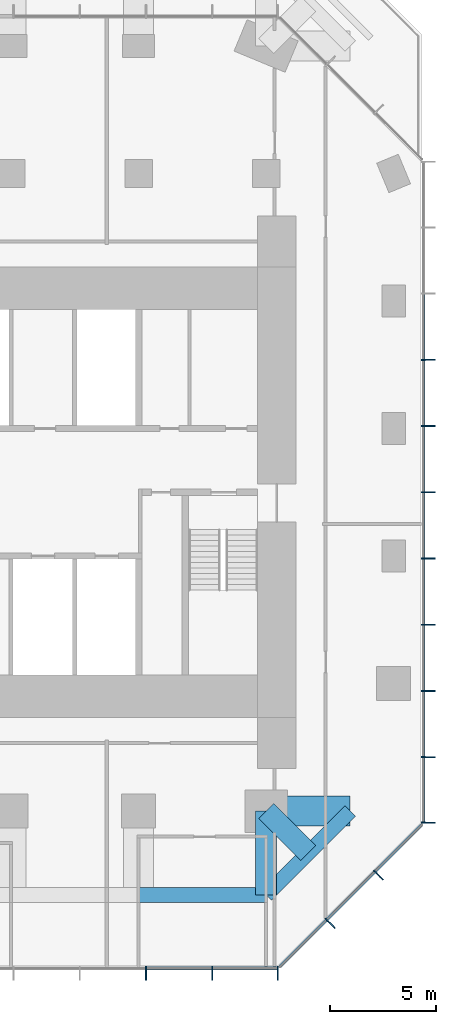
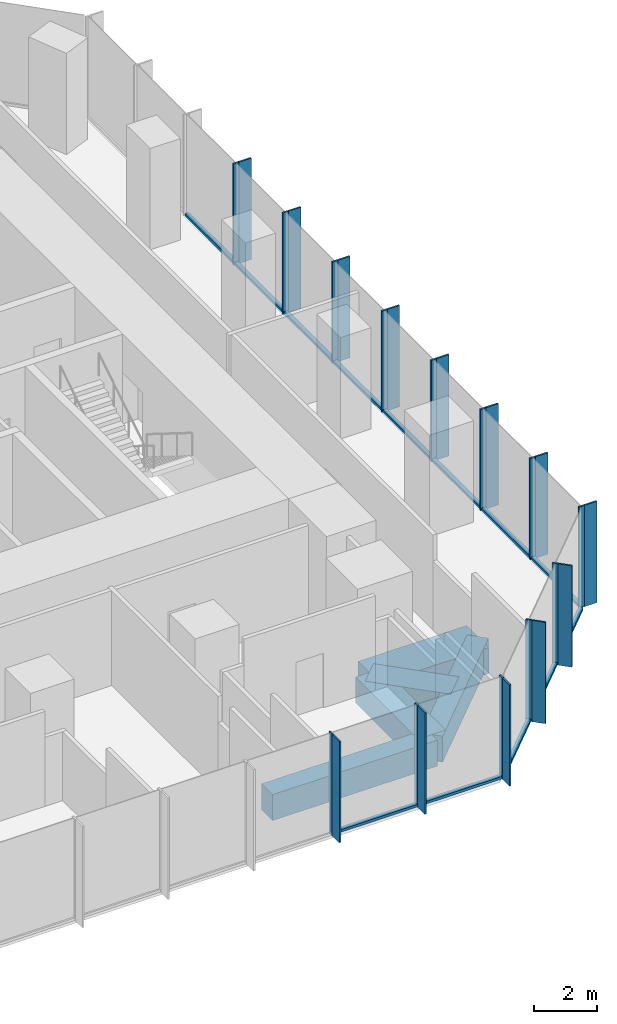
# One storey, part 4 of 11: 39 members, 5 beams, 3 elements without a shape of their own.
"""IFC4 building model written with IfcOpenShell, lengths in metres."""

from ifc_helpers import new_model, si_unit, direction, frame, origin, origin_2d, place, context, subcontext, project, spatial, rectangle, extrude, material, layer, layer_set, material_profile, profile_set, type_object, element, aggregate, save


model = new_model("IFC4")

# Units and contexts
model_context = context("Model", 3, precision=1e-05, world=origin(), true_north=direction((0.0, 1.0)))
body_context = subcontext(model_context, "Body", "Model", "MODEL_VIEW")
ifc_project = project(units=[si_unit("LENGTHUNIT", "METRE"), si_unit("AREAUNIT", "SQUARE_METRE"), si_unit("VOLUMEUNIT", "CUBIC_METRE"), si_unit("PLANEANGLEUNIT", "RADIAN"), si_unit("MASSUNIT", "GRAM", prefix="KILO")], contexts=[model_context])

# Site, building, storey
site_placement = place(None, origin())
site = spatial("IfcSite", under=ifc_project, at=site_placement, CompositionType="ELEMENT")
building_placement = place(site_placement, origin())
building = spatial("IfcBuilding", under=site, at=building_placement, Name="Highveld Stack Headquarters", CompositionType="ELEMENT")
storey_placement = place(building_placement, frame((0.0, 0.0, 212.300048828125)))
storey = spatial("IfcBuildingStorey", under=building, at=storey_placement, Name="L52", CompositionType="ELEMENT", Elevation=212.300048828125)

# Beams
ifc_material_1 = material(Name="Concrete C60/75", Category="concrete")
ifc_material_profile_1 = material_profile(ifc_material_1, rectangle(XDim=1.0, YDim=1.0, at=origin_2d()), Name="RC 1000x1000")
ifc_profile_set_1 = profile_set([ifc_material_profile_1], Name="Concrete C60/75")
beam_type_1 = type_object("IfcBeamType", Name="CANTILEVER RIB RC 1000x1000", PredefinedType="USERDEFINED", material=ifc_profile_set_1)
beam_1_placement = place(storey_placement, frame((18.0, -12.0, -0.75), z_axis=(0.0, -1.0, 0.0), x_axis=(1.0, 0.0, 0.0)))
element("IfcBeam", 1, at=beam_1_placement, inside=storey, type_object=beam_type_1, Name="Cantilever rib 9/C L52", ObjectType="CANTILEVER RIB", PredefinedType="USERDEFINED", context=body_context, shape_type="SweptSolid", body=[
    extrude(rectangle(XDim=1.0, YDim=1.0, at=origin_2d()), origin(), (0.0, 0.0, 1.0), 3.949951171875),
])
beam_2_placement = place(storey_placement, frame((18.0, -12.0, -0.75), z_axis=(0.707106781187, -0.707106781187, 0.0), x_axis=(0.707106781187, 0.707106781187, 0.0)))
element("IfcBeam", 2, at=beam_2_placement, inside=storey, type_object=beam_type_1, Name="Cantilever rib 9/C L52", ObjectType="CANTILEVER RIB", PredefinedType="USERDEFINED", context=body_context, shape_type="SweptSolid", body=[
    extrude(rectangle(XDim=1.0, YDim=1.0, at=origin_2d()), origin(), (0.0, 0.0, 1.0), 2.793212890625),
])
ifc_material_2 = material(Name="Concrete C60/75", Category="concrete")
ifc_material_profile_2 = material_profile(ifc_material_2, rectangle(XDim=1.39990234375, YDim=1.0, at=origin_2d()), Name="RC 1400x1000")
ifc_profile_set_2 = profile_set([ifc_material_profile_2], Name="Concrete C60/75")
beam_type_2 = type_object("IfcBeamType", Name="CANTILEVER RIB RC 1400x1000", PredefinedType="USERDEFINED", material=ifc_profile_set_2)
beam_3_placement = place(storey_placement, frame((18.0, -12.0, -0.75), z_axis=(1.0, 0.0, 0.0), x_axis=(0.0, 1.0, 0.0)))
element("IfcBeam", 3, at=beam_3_placement, inside=storey, type_object=beam_type_2, Name="Cantilever rib 9/C L52", ObjectType="CANTILEVER RIB", PredefinedType="USERDEFINED", context=body_context, shape_type="SweptSolid", body=[
    extrude(rectangle(XDim=1.39990234375, YDim=1.0, at=origin_2d()), origin(), (0.0, 0.0, 1.0), 3.949951171875),
])

# Curtain wall, members
ifc_material_3 = material(Name="Aluminium bronze anodised", Category="aluminium")
ifc_layer_1 = layer(ifc_material_3, 0.199951171875)
ifc_layer_set_1 = layer_set([ifc_layer_1], Name="Aluminium bronze anodised")
curtain_wall_type_1 = type_object("IfcCurtainWallType", Name="CW1 TOWER UNITISED CURTAIN WALL", PredefinedType="NOTDEFINED", material=ifc_layer_set_1)
curtain_wall_1_placement = place(storey_placement, origin())
curtain_wall_1 = element("IfcCurtainWall", 4, at=curtain_wall_1_placement, inside=storey, type_object=curtain_wall_type_1, Name="Curtain wall CW1 L52 S", PredefinedType="NOTDEFINED")
ifc_material_4 = material(Name="Aluminium bronze anodised", Category="aluminium")
ifc_material_profile_3 = material_profile(ifc_material_4, rectangle(XDim=0.449951171875, YDim=0.06005859375, at=origin_2d()), Name="FIN 450x60")
ifc_profile_set_3 = profile_set([ifc_material_profile_3], Name="Aluminium bronze anodised")
member_type_1 = type_object("IfcMemberType", Name="CW1 BRONZE FIN 450x60", PredefinedType="USERDEFINED", material=ifc_profile_set_3)
member_1_placement = place(storey_placement, frame((12.347900390625, -19.72509765625, 0.0), z_axis=(0.0, 0.0, 1.0), x_axis=(0.0, 1.0, 0.0)))
member_1 = element("IfcMember", 5, at=member_1_placement, type_object=member_type_1, Name="CW1 fin L52 9", ObjectType="FIN", PredefinedType="USERDEFINED", context=body_context, shape_type="SweptSolid", body=[
    extrude(rectangle(XDim=0.449951171875, YDim=0.06005859375, at=origin_2d()), origin(), (0.0, 0.0, 1.0), 3.89990234375),
])
member_2_placement = place(storey_placement, frame((15.4638671875, -19.72509765625, 0.0), z_axis=(0.0, 0.0, 1.0), x_axis=(0.0, 1.0, 0.0)))
member_2 = element("IfcMember", 6, at=member_2_placement, type_object=member_type_1, Name="CW1 fin L52 10", ObjectType="FIN", PredefinedType="USERDEFINED", context=body_context, shape_type="SweptSolid", body=[
    extrude(rectangle(XDim=0.449951171875, YDim=0.06005859375, at=origin_2d()), origin(), (0.0, 0.0, 1.0), 3.89990234375),
])
member_3_placement = place(storey_placement, frame((18.54736328125, -19.72509765625, 0.0), z_axis=(0.0, 0.0, 1.0), x_axis=(0.0, 1.0, 0.0)))
member_3 = element("IfcMember", 7, at=member_3_placement, type_object=member_type_1, Name="CW1 fin L52 11", ObjectType="FIN", PredefinedType="USERDEFINED", context=body_context, shape_type="SweptSolid", body=[
    extrude(rectangle(XDim=0.449951171875, YDim=0.06005859375, at=origin_2d()), origin(), (0.0, 0.0, 1.0), 3.89990234375),
])

curtain_wall_2_placement = place(storey_placement, origin())
curtain_wall_2 = element("IfcCurtainWall", 8, at=curtain_wall_2_placement, inside=storey, type_object=curtain_wall_type_1, Name="Curtain wall CW1 L52 E", PredefinedType="NOTDEFINED")
member_4_placement = place(storey_placement, frame((25.72509765625, -12.54736328125, 0.0), z_axis=(0.0, 0.0, 1.0), x_axis=(-1.0, 0.0, 0.0)))
member_4 = element("IfcMember", 9, at=member_4_placement, type_object=member_type_1, Name="CW1 fin L52 1", ObjectType="FIN", PredefinedType="USERDEFINED", context=body_context, shape_type="SweptSolid", body=[
    extrude(rectangle(XDim=0.449951171875, YDim=0.06005859375, at=origin_2d()), origin(), (0.0, 0.0, 1.0), 3.89990234375),
])
member_5_placement = place(storey_placement, frame((25.72509765625, -9.4638671875, 0.0), z_axis=(0.0, 0.0, 1.0), x_axis=(-1.0, 0.0, 0.0)))
member_5 = element("IfcMember", 10, at=member_5_placement, type_object=member_type_1, Name="CW1 fin L52 2", ObjectType="FIN", PredefinedType="USERDEFINED", context=body_context, shape_type="SweptSolid", body=[
    extrude(rectangle(XDim=0.449951171875, YDim=0.06005859375, at=origin_2d()), origin(), (0.0, 0.0, 1.0), 3.89990234375),
])
member_6_placement = place(storey_placement, frame((25.72509765625, -6.347900390625, 0.0), z_axis=(0.0, 0.0, 1.0), x_axis=(-1.0, 0.0, 0.0)))
member_6 = element("IfcMember", 11, at=member_6_placement, type_object=member_type_1, Name="CW1 fin L52 3", ObjectType="FIN", PredefinedType="USERDEFINED", context=body_context, shape_type="SweptSolid", body=[
    extrude(rectangle(XDim=0.449951171875, YDim=0.06005859375, at=origin_2d()), origin(), (0.0, 0.0, 1.0), 3.89990234375),
])
member_7_placement = place(storey_placement, frame((25.72509765625, -3.23193359375, 0.0), z_axis=(0.0, 0.0, 1.0), x_axis=(-1.0, 0.0, 0.0)))
member_7 = element("IfcMember", 12, at=member_7_placement, type_object=member_type_1, Name="CW1 fin L52 4", ObjectType="FIN", PredefinedType="USERDEFINED", context=body_context, shape_type="SweptSolid", body=[
    extrude(rectangle(XDim=0.449951171875, YDim=0.06005859375, at=origin_2d()), origin(), (0.0, 0.0, 1.0), 3.89990234375),
])
member_8_placement = place(storey_placement, frame((25.72509765625, -0.115966796875, 0.0), z_axis=(0.0, 0.0, 1.0), x_axis=(-1.0, 0.0, 0.0)))
member_8 = element("IfcMember", 13, at=member_8_placement, type_object=member_type_1, Name="CW1 fin L52 5", ObjectType="FIN", PredefinedType="USERDEFINED", context=body_context, shape_type="SweptSolid", body=[
    extrude(rectangle(XDim=0.449951171875, YDim=0.06005859375, at=origin_2d()), origin(), (0.0, 0.0, 1.0), 3.89990234375),
])
member_9_placement = place(storey_placement, frame((25.72509765625, 3.0, 0.0), z_axis=(0.0, 0.0, 1.0), x_axis=(-1.0, 0.0, 0.0)))
member_9 = element("IfcMember", 14, at=member_9_placement, type_object=member_type_1, Name="CW1 fin L52 6", ObjectType="FIN", PredefinedType="USERDEFINED", context=body_context, shape_type="SweptSolid", body=[
    extrude(rectangle(XDim=0.449951171875, YDim=0.06005859375, at=origin_2d()), origin(), (0.0, 0.0, 1.0), 3.89990234375),
])
member_10_placement = place(storey_placement, frame((25.72509765625, 6.115966796875, 0.0), z_axis=(0.0, 0.0, 1.0), x_axis=(-1.0, 0.0, 0.0)))
member_10 = element("IfcMember", 15, at=member_10_placement, type_object=member_type_1, Name="CW1 fin L52 7", ObjectType="FIN", PredefinedType="USERDEFINED", context=body_context, shape_type="SweptSolid", body=[
    extrude(rectangle(XDim=0.449951171875, YDim=0.06005859375, at=origin_2d()), origin(), (0.0, 0.0, 1.0), 3.89990234375),
])
member_11_placement = place(storey_placement, frame((25.72509765625, 9.23193359375, 0.0), z_axis=(0.0, 0.0, 1.0), x_axis=(-1.0, 0.0, 0.0)))
member_11 = element("IfcMember", 16, at=member_11_placement, type_object=member_type_1, Name="CW1 fin L52 8", ObjectType="FIN", PredefinedType="USERDEFINED", context=body_context, shape_type="SweptSolid", body=[
    extrude(rectangle(XDim=0.449951171875, YDim=0.06005859375, at=origin_2d()), origin(), (0.0, 0.0, 1.0), 3.89990234375),
])

# Member
ifc_material_5 = material(Name="Aluminium bronze anodised", Category="aluminium")
ifc_material_profile_4 = material_profile(ifc_material_5, rectangle(XDim=0.199951171875, YDim=0.06494140625, at=origin_2d()), Name="CW1 MULLION 65x200")
ifc_profile_set_4 = profile_set([ifc_material_profile_4], Name="Aluminium bronze anodised")
member_type_2 = type_object("IfcMemberType", Name="CW1 MULLION 65x200", PredefinedType="MULLION", material=ifc_profile_set_4)
member_12_placement = place(storey_placement, frame((12.347900390625, -19.39990234375, 0.0), z_axis=(0.0, 0.0, 1.0), x_axis=(0.0, 1.0, 0.0)))
member_12 = element("IfcMember", 17, at=member_12_placement, type_object=member_type_2, Name="CW1 mullion L52 9", PredefinedType="MULLION", context=body_context, shape_type="SweptSolid", body=[
    extrude(rectangle(XDim=0.199951171875, YDim=0.06494140625, at=origin_2d()), origin(), (0.0, 0.0, 1.0), 3.89990234375),
])

member_13_placement = place(storey_placement, frame((15.4638671875, -19.39990234375, 0.0), z_axis=(0.0, 0.0, 1.0), x_axis=(0.0, 1.0, 0.0)))
member_13 = element("IfcMember", 18, at=member_13_placement, type_object=member_type_2, Name="CW1 mullion L52 10", PredefinedType="MULLION", context=body_context, shape_type="SweptSolid", body=[
    extrude(rectangle(XDim=0.199951171875, YDim=0.06494140625, at=origin_2d()), origin(), (0.0, 0.0, 1.0), 3.89990234375),
])

member_14_placement = place(storey_placement, frame((18.54736328125, -19.39990234375, 0.0), z_axis=(0.0, 0.0, 1.0), x_axis=(0.0, 1.0, 0.0)))
member_14 = element("IfcMember", 19, at=member_14_placement, type_object=member_type_2, Name="CW1 mullion L52 11", PredefinedType="MULLION", context=body_context, shape_type="SweptSolid", body=[
    extrude(rectangle(XDim=0.199951171875, YDim=0.06494140625, at=origin_2d()), origin(), (0.0, 0.0, 1.0), 3.89990234375),
])

member_15_placement = place(storey_placement, frame((25.39990234375, -12.54736328125, 0.0), z_axis=(0.0, 0.0, 1.0), x_axis=(-1.0, 0.0, 0.0)))
member_15 = element("IfcMember", 20, at=member_15_placement, type_object=member_type_2, Name="CW1 mullion L52 1", PredefinedType="MULLION", context=body_context, shape_type="SweptSolid", body=[
    extrude(rectangle(XDim=0.199951171875, YDim=0.06494140625, at=origin_2d()), origin(), (0.0, 0.0, 1.0), 3.89990234375),
])

member_16_placement = place(storey_placement, frame((25.39990234375, -9.4638671875, 0.0), z_axis=(0.0, 0.0, 1.0), x_axis=(-1.0, 0.0, 0.0)))
member_16 = element("IfcMember", 21, at=member_16_placement, type_object=member_type_2, Name="CW1 mullion L52 2", PredefinedType="MULLION", context=body_context, shape_type="SweptSolid", body=[
    extrude(rectangle(XDim=0.199951171875, YDim=0.06494140625, at=origin_2d()), origin(), (0.0, 0.0, 1.0), 3.89990234375),
])

member_17_placement = place(storey_placement, frame((25.39990234375, -6.347900390625, 0.0), z_axis=(0.0, 0.0, 1.0), x_axis=(-1.0, 0.0, 0.0)))
member_17 = element("IfcMember", 22, at=member_17_placement, type_object=member_type_2, Name="CW1 mullion L52 3", PredefinedType="MULLION", context=body_context, shape_type="SweptSolid", body=[
    extrude(rectangle(XDim=0.199951171875, YDim=0.06494140625, at=origin_2d()), origin(), (0.0, 0.0, 1.0), 3.89990234375),
])

member_18_placement = place(storey_placement, frame((25.39990234375, -3.23193359375, 0.0), z_axis=(0.0, 0.0, 1.0), x_axis=(-1.0, 0.0, 0.0)))
member_18 = element("IfcMember", 23, at=member_18_placement, type_object=member_type_2, Name="CW1 mullion L52 4", PredefinedType="MULLION", context=body_context, shape_type="SweptSolid", body=[
    extrude(rectangle(XDim=0.199951171875, YDim=0.06494140625, at=origin_2d()), origin(), (0.0, 0.0, 1.0), 3.89990234375),
])

member_19_placement = place(storey_placement, frame((25.39990234375, -0.115966796875, 0.0), z_axis=(0.0, 0.0, 1.0), x_axis=(-1.0, 0.0, 0.0)))
member_19 = element("IfcMember", 24, at=member_19_placement, type_object=member_type_2, Name="CW1 mullion L52 5", PredefinedType="MULLION", context=body_context, shape_type="SweptSolid", body=[
    extrude(rectangle(XDim=0.199951171875, YDim=0.06494140625, at=origin_2d()), origin(), (0.0, 0.0, 1.0), 3.89990234375),
])

member_20_placement = place(storey_placement, frame((25.39990234375, 3.0, 0.0), z_axis=(0.0, 0.0, 1.0), x_axis=(-1.0, 0.0, 0.0)))
member_20 = element("IfcMember", 25, at=member_20_placement, type_object=member_type_2, Name="CW1 mullion L52 6", PredefinedType="MULLION", context=body_context, shape_type="SweptSolid", body=[
    extrude(rectangle(XDim=0.199951171875, YDim=0.06494140625, at=origin_2d()), origin(), (0.0, 0.0, 1.0), 3.89990234375),
])

member_21_placement = place(storey_placement, frame((25.39990234375, 6.115966796875, 0.0), z_axis=(0.0, 0.0, 1.0), x_axis=(-1.0, 0.0, 0.0)))
member_21 = element("IfcMember", 26, at=member_21_placement, type_object=member_type_2, Name="CW1 mullion L52 7", PredefinedType="MULLION", context=body_context, shape_type="SweptSolid", body=[
    extrude(rectangle(XDim=0.199951171875, YDim=0.06494140625, at=origin_2d()), origin(), (0.0, 0.0, 1.0), 3.89990234375),
])

member_22_placement = place(storey_placement, frame((25.39990234375, 9.23193359375, 0.0), z_axis=(0.0, 0.0, 1.0), x_axis=(-1.0, 0.0, 0.0)))
member_22 = element("IfcMember", 27, at=member_22_placement, type_object=member_type_2, Name="CW1 mullion L52 8", PredefinedType="MULLION", context=body_context, shape_type="SweptSolid", body=[
    extrude(rectangle(XDim=0.199951171875, YDim=0.06494140625, at=origin_2d()), origin(), (0.0, 0.0, 1.0), 3.89990234375),
])

ifc_material_6 = material(Name="Aluminium bronze anodised", Category="aluminium")
ifc_material_profile_5 = material_profile(ifc_material_6, rectangle(XDim=0.14990234375, YDim=0.10009765625, at=origin_2d()), Name="CW1 TRANSOM 150x100")
ifc_profile_set_5 = profile_set([ifc_material_profile_5], Name="Aluminium bronze anodised")
member_type_3 = type_object("IfcMemberType", Name="CW1 STACK TRANSOM 150x100", PredefinedType="USERDEFINED", material=ifc_profile_set_5)
member_23_placement = place(storey_placement, frame((12.38037109375, -19.39990234375, 0.050048828125), z_axis=(1.0, 0.0, 0.0), x_axis=(0.0, 1.0, 0.0)))
member_23 = element("IfcMember", 28, at=member_23_placement, type_object=member_type_3, Name="CW1 transom L52 9.1", ObjectType="TRANSOM", PredefinedType="USERDEFINED", context=body_context, shape_type="SweptSolid", body=[
    extrude(rectangle(XDim=0.14990234375, YDim=0.10009765625, at=origin_2d()), origin(), (0.0, 0.0, 1.0), 3.051025390625),
])

member_24_placement = place(storey_placement, frame((15.496337890625, -19.39990234375, 0.050048828125), z_axis=(1.0, 0.0, 0.0), x_axis=(0.0, 1.0, 0.0)))
member_24 = element("IfcMember", 29, at=member_24_placement, type_object=member_type_3, Name="CW1 transom L52 10.1", ObjectType="TRANSOM", PredefinedType="USERDEFINED", context=body_context, shape_type="SweptSolid", body=[
    extrude(rectangle(XDim=0.14990234375, YDim=0.10009765625, at=origin_2d()), origin(), (0.0, 0.0, 1.0), 3.0185546875),
])

aggregate(curtain_wall_1, [member_12, member_1, member_13, member_2, member_14, member_3, member_23, member_24])

member_25_placement = place(storey_placement, frame((25.39990234375, -12.514892578125, 0.050048828125), z_axis=(0.0, 1.0, 0.0), x_axis=(-1.0, 0.0, 0.0)))
member_25 = element("IfcMember", 30, at=member_25_placement, type_object=member_type_3, Name="CW1 transom L52 1.1", ObjectType="TRANSOM", PredefinedType="USERDEFINED", context=body_context, shape_type="SweptSolid", body=[
    extrude(rectangle(XDim=0.14990234375, YDim=0.10009765625, at=origin_2d()), origin(), (0.0, 0.0, 1.0), 3.0185546875),
])

member_26_placement = place(storey_placement, frame((25.39990234375, -9.431396484375, 0.050048828125), z_axis=(0.0, 1.0, 0.0), x_axis=(-1.0, 0.0, 0.0)))
member_26 = element("IfcMember", 31, at=member_26_placement, type_object=member_type_3, Name="CW1 transom L52 2.1", ObjectType="TRANSOM", PredefinedType="USERDEFINED", context=body_context, shape_type="SweptSolid", body=[
    extrude(rectangle(XDim=0.14990234375, YDim=0.10009765625, at=origin_2d()), origin(), (0.0, 0.0, 1.0), 3.051025390625),
])

member_27_placement = place(storey_placement, frame((25.39990234375, -6.3154296875, 0.050048828125), z_axis=(0.0, 1.0, 0.0), x_axis=(-1.0, 0.0, 0.0)))
member_27 = element("IfcMember", 32, at=member_27_placement, type_object=member_type_3, Name="CW1 transom L52 3.1", ObjectType="TRANSOM", PredefinedType="USERDEFINED", context=body_context, shape_type="SweptSolid", body=[
    extrude(rectangle(XDim=0.14990234375, YDim=0.10009765625, at=origin_2d()), origin(), (0.0, 0.0, 1.0), 3.051025390625),
])

member_28_placement = place(storey_placement, frame((25.39990234375, -3.199462890625, 0.050048828125), z_axis=(0.0, 1.0, 0.0), x_axis=(-1.0, 0.0, 0.0)))
member_28 = element("IfcMember", 33, at=member_28_placement, type_object=member_type_3, Name="CW1 transom L52 4.1", ObjectType="TRANSOM", PredefinedType="USERDEFINED", context=body_context, shape_type="SweptSolid", body=[
    extrude(rectangle(XDim=0.14990234375, YDim=0.10009765625, at=origin_2d()), origin(), (0.0, 0.0, 1.0), 3.051025390625),
])

member_29_placement = place(storey_placement, frame((25.39990234375, -0.08349609375, 0.050048828125), z_axis=(0.0, 1.0, 0.0), x_axis=(-1.0, 0.0, 0.0)))
member_29 = element("IfcMember", 34, at=member_29_placement, type_object=member_type_3, Name="CW1 transom L52 5.1", ObjectType="TRANSOM", PredefinedType="USERDEFINED", context=body_context, shape_type="SweptSolid", body=[
    extrude(rectangle(XDim=0.14990234375, YDim=0.10009765625, at=origin_2d()), origin(), (0.0, 0.0, 1.0), 3.051025390625),
])

member_30_placement = place(storey_placement, frame((25.39990234375, 3.032470703125, 0.050048828125), z_axis=(0.0, 1.0, 0.0), x_axis=(-1.0, 0.0, 0.0)))
member_30 = element("IfcMember", 35, at=member_30_placement, type_object=member_type_3, Name="CW1 transom L52 6.1", ObjectType="TRANSOM", PredefinedType="USERDEFINED", context=body_context, shape_type="SweptSolid", body=[
    extrude(rectangle(XDim=0.14990234375, YDim=0.10009765625, at=origin_2d()), origin(), (0.0, 0.0, 1.0), 3.051025390625),
])

member_31_placement = place(storey_placement, frame((25.39990234375, 6.1484375, 0.050048828125), z_axis=(0.0, 1.0, 0.0), x_axis=(-1.0, 0.0, 0.0)))
member_31 = element("IfcMember", 36, at=member_31_placement, type_object=member_type_3, Name="CW1 transom L52 7.1", ObjectType="TRANSOM", PredefinedType="USERDEFINED", context=body_context, shape_type="SweptSolid", body=[
    extrude(rectangle(XDim=0.14990234375, YDim=0.10009765625, at=origin_2d()), origin(), (0.0, 0.0, 1.0), 3.051025390625),
])

member_32_placement = place(storey_placement, frame((25.39990234375, 9.264404296875, 0.050048828125), z_axis=(0.0, 1.0, 0.0), x_axis=(-1.0, 0.0, 0.0)))
member_32 = element("IfcMember", 37, at=member_32_placement, type_object=member_type_3, Name="CW1 transom L52 8.1", ObjectType="TRANSOM", PredefinedType="USERDEFINED", context=body_context, shape_type="SweptSolid", body=[
    extrude(rectangle(XDim=0.14990234375, YDim=0.10009765625, at=origin_2d()), origin(), (0.0, 0.0, 1.0), 3.051025390625),
])

aggregate(curtain_wall_2, [member_15, member_4, member_16, member_5, member_17, member_6, member_18, member_7, member_19, member_8, member_20, member_9, member_21, member_10, member_22, member_11, member_25, member_26, member_27, member_28, member_29, member_30, member_31, member_32])

# Curtain wall, members
ifc_material_7 = material(Name="Aluminium bronze anodised", Category="aluminium")
ifc_layer_2 = layer(ifc_material_7, 0.199951171875)
ifc_layer_set_2 = layer_set([ifc_layer_2], Name="Aluminium bronze anodised")
curtain_wall_type_2 = type_object("IfcCurtainWallType", Name="CW2 TOWER CHAMFER UNITISED CURTAIN WALL", PredefinedType="NOTDEFINED", material=ifc_layer_set_2)
curtain_wall_3_placement = place(storey_placement, origin())
curtain_wall_3 = element("IfcCurtainWall", 38, at=curtain_wall_3_placement, inside=storey, type_object=curtain_wall_type_2, Name="Curtain wall CW2 L52 SE", PredefinedType="NOTDEFINED")
ifc_material_8 = material(Name="Aluminium bronze anodised", Category="aluminium")
ifc_material_profile_6 = material_profile(ifc_material_8, rectangle(XDim=0.449951171875, YDim=0.06005859375, at=origin_2d()), Name="FIN 450x60")
ifc_profile_set_6 = profile_set([ifc_material_profile_6], Name="Aluminium bronze anodised")
member_type_4 = type_object("IfcMemberType", Name="CW2 BRONZE FIN 450x60", PredefinedType="USERDEFINED", material=ifc_profile_set_6)
member_33_placement = place(storey_placement, frame((21.0830078125, -17.3564453125, 0.0), z_axis=(0.0, 0.0, 1.0), x_axis=(-0.707106781187, 0.707106781187, 0.0)))
member_33 = element("IfcMember", 39, at=member_33_placement, type_object=member_type_4, Name="CW2 fin L52 1", ObjectType="FIN", PredefinedType="USERDEFINED", context=body_context, shape_type="SweptSolid", body=[
    extrude(rectangle(XDim=0.449951171875, YDim=0.06005859375, at=origin_2d()), origin(), (0.0, 0.0, 1.0), 3.89990234375),
])
member_34_placement = place(storey_placement, frame((23.3564453125, -15.0830078125, 0.0), z_axis=(0.0, 0.0, 1.0), x_axis=(-0.707106781187, 0.707106781187, 0.0)))
member_34 = element("IfcMember", 40, at=member_34_placement, type_object=member_type_4, Name="CW2 fin L52 2", ObjectType="FIN", PredefinedType="USERDEFINED", context=body_context, shape_type="SweptSolid", body=[
    extrude(rectangle(XDim=0.449951171875, YDim=0.06005859375, at=origin_2d()), origin(), (0.0, 0.0, 1.0), 3.89990234375),
])
ifc_material_9 = material(Name="Aluminium bronze anodised", Category="aluminium")
ifc_material_profile_7 = material_profile(ifc_material_9, rectangle(XDim=0.199951171875, YDim=0.06494140625, at=origin_2d()), Name="CW2 MULLION 65x200")
ifc_profile_set_7 = profile_set([ifc_material_profile_7], Name="Aluminium bronze anodised")
member_type_5 = type_object("IfcMemberType", Name="CW2 MULLION 65x200", PredefinedType="MULLION", material=ifc_profile_set_7)
member_35_placement = place(storey_placement, frame((20.853271484375, -17.126708984375, 0.0), z_axis=(0.0, 0.0, 1.0), x_axis=(-0.707106781187, 0.707106781187, 0.0)))
member_35 = element("IfcMember", 41, at=member_35_placement, type_object=member_type_5, Name="CW2 mullion L52 1", PredefinedType="MULLION", context=body_context, shape_type="SweptSolid", body=[
    extrude(rectangle(XDim=0.199951171875, YDim=0.06494140625, at=origin_2d()), origin(), (0.0, 0.0, 1.0), 3.89990234375),
])
member_36_placement = place(storey_placement, frame((23.126708984375, -14.853271484375, 0.0), z_axis=(0.0, 0.0, 1.0), x_axis=(-0.707106781187, 0.707106781187, 0.0)))
member_36 = element("IfcMember", 42, at=member_36_placement, type_object=member_type_5, Name="CW2 mullion L52 2", PredefinedType="MULLION", context=body_context, shape_type="SweptSolid", body=[
    extrude(rectangle(XDim=0.199951171875, YDim=0.06494140625, at=origin_2d()), origin(), (0.0, 0.0, 1.0), 3.89990234375),
])
ifc_material_10 = material(Name="Aluminium bronze anodised", Category="aluminium")
ifc_material_profile_8 = material_profile(ifc_material_10, rectangle(XDim=0.14990234375, YDim=0.10009765625, at=origin_2d()), Name="CW2 TRANSOM 150x100")
ifc_profile_set_8 = profile_set([ifc_material_profile_8], Name="Aluminium bronze anodised")
member_type_6 = type_object("IfcMemberType", Name="CW2 STACK TRANSOM 150x100", PredefinedType="USERDEFINED", material=ifc_profile_set_8)
member_37_placement = place(storey_placement, frame((18.650634765625, -19.329345703125, 0.050048828125), z_axis=(0.707106781187, 0.707106781187, 0.0), x_axis=(-0.707106781187, 0.707106781187, 0.0)))
member_37 = element("IfcMember", 43, at=member_37_placement, type_object=member_type_6, Name="CW2 transom L52 1.1", ObjectType="TRANSOM", PredefinedType="USERDEFINED", context=body_context, shape_type="SweptSolid", body=[
    extrude(rectangle(XDim=0.14990234375, YDim=0.10009765625, at=origin_2d()), origin(), (0.0, 0.0, 1.0), 3.08251953125),
])
member_38_placement = place(storey_placement, frame((20.876220703125, -17.103759765625, 0.050048828125), z_axis=(0.707106781187, 0.707106781187, 0.0), x_axis=(-0.707106781187, 0.707106781187, 0.0)))
member_38 = element("IfcMember", 44, at=member_38_placement, type_object=member_type_6, Name="CW2 transom L52 2.1", ObjectType="TRANSOM", PredefinedType="USERDEFINED", context=body_context, shape_type="SweptSolid", body=[
    extrude(rectangle(XDim=0.14990234375, YDim=0.10009765625, at=origin_2d()), origin(), (0.0, 0.0, 1.0), 3.150146484375),
])
member_39_placement = place(storey_placement, frame((23.149658203125, -14.830322265625, 0.050048828125), z_axis=(0.707106781187, 0.707106781187, 0.0), x_axis=(-0.707106781187, 0.707106781187, 0.0)))
member_39 = element("IfcMember", 45, at=member_39_placement, type_object=member_type_6, Name="CW2 transom L52 3.1", ObjectType="TRANSOM", PredefinedType="USERDEFINED", context=body_context, shape_type="SweptSolid", body=[
    extrude(rectangle(XDim=0.14990234375, YDim=0.10009765625, at=origin_2d()), origin(), (0.0, 0.0, 1.0), 3.08251953125),
])
aggregate(curtain_wall_3, [member_35, member_33, member_36, member_34, member_37, member_38, member_39])

# Beams
ifc_material_11 = material(Name="Concrete C60/75", Category="concrete")
ifc_material_profile_9 = material_profile(ifc_material_11, rectangle(XDim=0.699951171875, YDim=1.0, at=origin_2d()), Name="RC 700x1000")
ifc_profile_set_9 = profile_set([ifc_material_profile_9], Name="Concrete C60/75")
beam_type_3 = type_object("IfcBeamType", Name="RIB TIP BEAM RC 700x1000", PredefinedType="SPANDREL", material=ifc_profile_set_9)
beam_4_placement = place(storey_placement, frame((12.0, -15.949951171875, -0.75), z_axis=(1.0, 0.0, 0.0), x_axis=(0.0, 1.0, 0.0)))
element("IfcBeam", 46, at=beam_4_placement, inside=storey, type_object=beam_type_3, Name="Rib tip beam 8/C to 9/C L52", PredefinedType="SPANDREL", context=body_context, shape_type="SweptSolid", body=[
    extrude(rectangle(XDim=0.699951171875, YDim=1.0, at=origin_2d()), origin(), (0.0, 0.0, 1.0), 6.0),
])
beam_5_placement = place(storey_placement, frame((21.949951171875, -12.0, -0.75), z_axis=(-0.707106781187, -0.707106781187, 0.0), x_axis=(0.707106781187, -0.707106781187, 0.0)))
element("IfcBeam", 47, at=beam_5_placement, inside=storey, type_object=beam_type_3, Name="Rib tip beam 9/C corner L52", PredefinedType="SPANDREL", context=body_context, shape_type="SweptSolid", body=[
    extrude(rectangle(XDim=0.699951171875, YDim=1.0, at=origin_2d()), origin(), (0.0, 0.0, 1.0), 5.586181640625),
])

save(model, "model.ifc")
